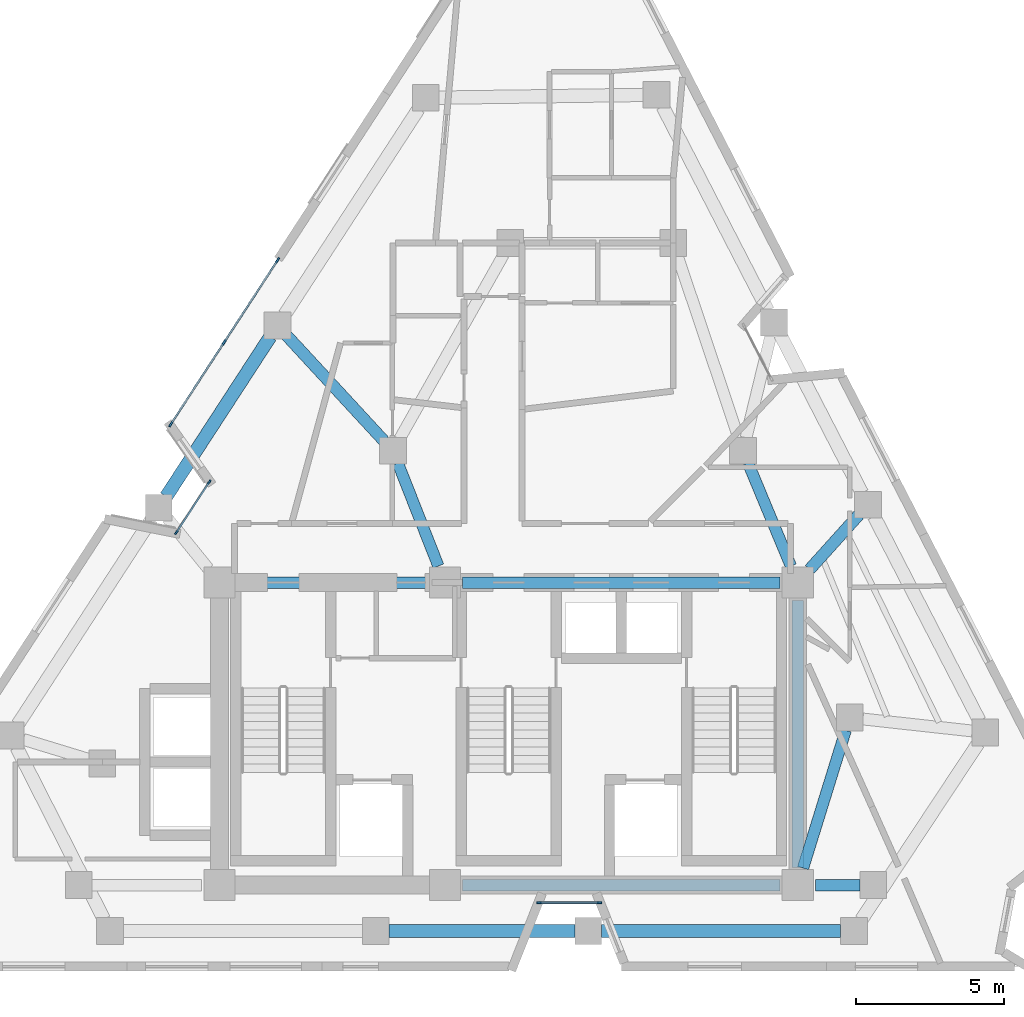
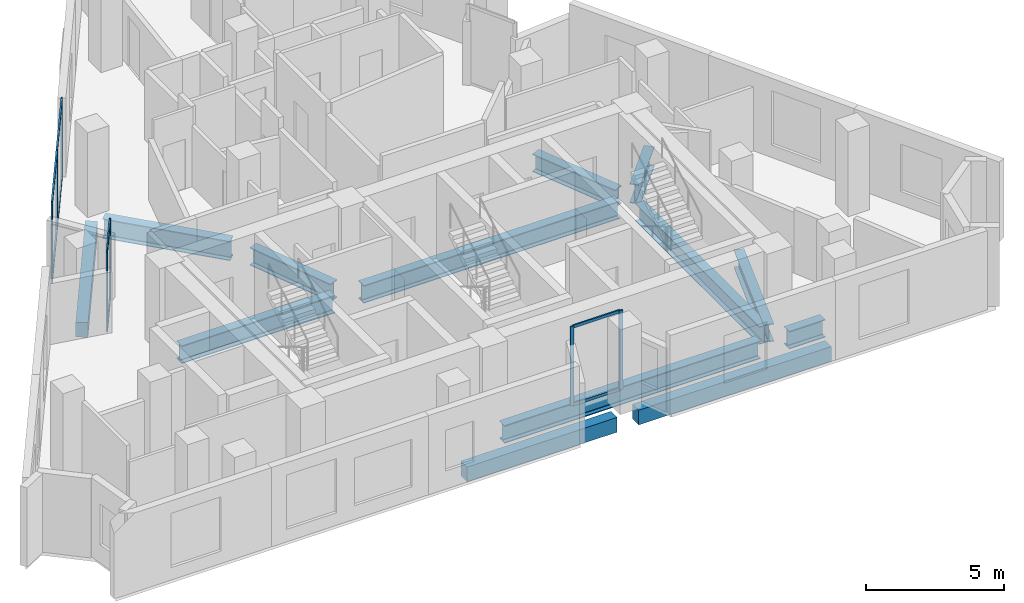
# One storey, part 2 of 9: 15 members, 13 beams, 3 elements without a shape of their own.
"""IFC4 building model written with IfcOpenShell, lengths in metres."""

from ifc_helpers import new_model, si_unit, direction, frame, origin, origin_2d, place, context, subcontext, project, spatial, rectangle, i_section, extrude, material, layer, layer_set, material_profile, profile_set, type_object, element, aggregate, save


model = new_model("IFC4")

# Units and contexts
model_context = context("Model", 3, precision=1e-05, world=origin(), true_north=direction((0.0, 1.0)))
body_context = subcontext(model_context, "Body", "Model", "MODEL_VIEW")
ifc_project = project(units=[si_unit("LENGTHUNIT", "METRE"), si_unit("AREAUNIT", "SQUARE_METRE"), si_unit("VOLUMEUNIT", "CUBIC_METRE"), si_unit("PLANEANGLEUNIT", "RADIAN"), si_unit("MASSUNIT", "GRAM", prefix="KILO")], contexts=[model_context])

# Site, building, storey
site_placement = place(None, origin())
site = spatial("IfcSite", under=ifc_project, at=site_placement, CompositionType="ELEMENT")
building_placement = place(site_placement, origin())
building = spatial("IfcBuilding", under=site, at=building_placement, Name="Almagre Mirador Tower", CompositionType="ELEMENT")
storey_placement = place(building_placement, frame((0.0, 0.0, 207.0)))
storey = spatial("IfcBuildingStorey", under=building, at=storey_placement, Name="L53", CompositionType="ELEMENT", Elevation=207.0)

# Beams
ifc_material_1 = material(Name="Precast concrete C50/60", Category="concrete")
ifc_material_profile_1 = material_profile(ifc_material_1, rectangle(XDim=0.449951171875, YDim=0.64990234375, at=origin_2d()), Name="RC450X650")
ifc_profile_set_1 = profile_set([ifc_material_profile_1], Name="Precast concrete C50/60")
beam_type_1 = type_object("IfcBeamType", Name="BM-SPN-RC450X650", PredefinedType="SPANDREL", material=ifc_profile_set_1)
beam_1_placement = place(storey_placement, frame((33.26611328125, 3.0, -0.574951171875), z_axis=(1.0, 0.0, 0.0), x_axis=(0.0, 1.0, 0.0)))
element("IfcBeam", 1, at=beam_1_placement, inside=storey, type_object=beam_type_1, Name="L53 perimeter spandrel beam PC02-PC03", PredefinedType="SPANDREL", context=body_context, shape_type="SweptSolid", body=[
    extrude(rectangle(XDim=0.449951171875, YDim=0.64990234375, at=origin_2d()), origin(), (0.0, 0.0, 1.0), 6.267822265625),
])
beam_2_placement = place(storey_placement, frame((40.43408203125, 3.0, -0.574951171875), z_axis=(1.0, 0.0, 0.0), x_axis=(0.0, 1.0, 0.0)))
element("IfcBeam", 2, at=beam_2_placement, inside=storey, type_object=beam_type_1, Name="L53 perimeter spandrel beam PC03-PC04", PredefinedType="SPANDREL", context=body_context, shape_type="SweptSolid", body=[
    extrude(rectangle(XDim=0.449951171875, YDim=0.64990234375, at=origin_2d()), origin(), (0.0, 0.0, 1.0), 8.059814453125),
])
beam_3_placement = place(storey_placement, frame((29.260498046875, 23.039794921875, -0.574951171875), z_axis=(-0.545617994426, -0.838034011337, 0.0), x_axis=(0.838034011337, -0.545617994426, 0.0)))
element("IfcBeam", 3, at=beam_3_placement, inside=storey, type_object=beam_type_1, Name="L53 perimeter spandrel beam PC10-PC11", PredefinedType="SPANDREL", context=body_context, shape_type="SweptSolid", body=[
    extrude(rectangle(XDim=0.449951171875, YDim=0.64990234375, at=origin_2d()), origin(), (0.0, 0.0, 1.0), 6.431396484375),
])
ifc_material_2 = material(Name="Steel ASTM A992 Grade 50", Category="steel")
ifc_material_profile_2 = material_profile(ifc_material_2, i_section(OverallWidth=0.384033203125, OverallDepth=0.784912109375, WebThickness=0.019775390625, FlangeThickness=0.033447265625, FilletRadius=0.02392578125, at=origin_2d()), Name="W30X211")
ifc_profile_set_2 = profile_set([ifc_material_profile_2], Name="Steel ASTM A992 Grade 50")
beam_type_2 = type_object("IfcBeamType", Name="BM-STL-W30X211", PredefinedType="BEAM", material=ifc_profile_set_2)
beam_4_placement = place(storey_placement, frame((35.75, 4.550048828125, -0.642578125), z_axis=(1.0, 0.0, 0.0), x_axis=(0.0, 1.0, 0.0)))
element("IfcBeam", 4, at=beam_4_placement, inside=storey, type_object=beam_type_2, Name="L53 core tie girder CC2-CC3", PredefinedType="BEAM", context=body_context, shape_type="SweptSolid", body=[
    extrude(i_section(OverallWidth=0.384033203125, OverallDepth=0.784912109375, WebThickness=0.019775390625, FlangeThickness=0.033447265625, FilletRadius=0.02392578125, at=origin_2d()), origin(), (0.0, 0.0, 1.0), 10.699951171875),
])
beam_5_placement = place(storey_placement, frame((28.14990234375, 14.75, -0.642578125), z_axis=(1.0, 0.0, 0.0), x_axis=(0.0, 1.0, 0.0)))
element("IfcBeam", 5, at=beam_5_placement, inside=storey, type_object=beam_type_2, Name="L53 core tie girder CC4-CC5", PredefinedType="BEAM", context=body_context, shape_type="SweptSolid", body=[
    extrude(i_section(OverallWidth=0.384033203125, OverallDepth=0.784912109375, WebThickness=0.019775390625, FlangeThickness=0.033447265625, FilletRadius=0.02392578125, at=origin_2d()), origin(), (0.0, 0.0, 1.0), 6.400146484375),
])
beam_6_placement = place(storey_placement, frame((35.75, 14.75, -0.642578125), z_axis=(1.0, 0.0, 0.0), x_axis=(0.0, 1.0, 0.0)))
element("IfcBeam", 6, at=beam_6_placement, inside=storey, type_object=beam_type_2, Name="L53 core tie girder CC5-CC6", PredefinedType="BEAM", context=body_context, shape_type="SweptSolid", body=[
    extrude(i_section(OverallWidth=0.384033203125, OverallDepth=0.784912109375, WebThickness=0.019775390625, FlangeThickness=0.033447265625, FilletRadius=0.02392578125, at=origin_2d()), origin(), (0.0, 0.0, 1.0), 10.699951171875),
])
beam_7_placement = place(storey_placement, frame((47.050048828125, 5.14990234375, -0.642578125), z_axis=(0.0, 1.0, 0.0), x_axis=(-1.0, 0.0, 0.0)))
element("IfcBeam", 7, at=beam_7_placement, inside=storey, type_object=beam_type_2, Name="L53 core tie girder CC3-CC6", PredefinedType="BEAM", context=body_context, shape_type="SweptSolid", body=[
    extrude(i_section(OverallWidth=0.384033203125, OverallDepth=0.784912109375, WebThickness=0.019775390625, FlangeThickness=0.033447265625, FilletRadius=0.02392578125, at=origin_2d()), origin(), (0.0, 0.0, 1.0), 9.0),
])
beam_8_placement = place(storey_placement, frame((49.14990234375, 4.550048828125, -0.642578125), z_axis=(-1.0, 0.0, 0.0), x_axis=(0.0, -1.0, 0.0)))
element("IfcBeam", 8, at=beam_8_placement, inside=storey, type_object=beam_type_2, Name="L53 core tie girder MC2-CC3", PredefinedType="BEAM", context=body_context, shape_type="SweptSolid", body=[
    extrude(i_section(OverallWidth=0.384033203125, OverallDepth=0.784912109375, WebThickness=0.019775390625, FlangeThickness=0.033447265625, FilletRadius=0.02392578125, at=origin_2d()), origin(), (0.0, 0.0, 1.0), 1.5),
])
beam_9_placement = place(storey_placement, frame((48.6669921875, 9.77001953125, -0.642578125), z_axis=(-0.29589089985, -0.955221741475, 0.0), x_axis=(0.955221741475, -0.29589089985, 0.0)))
element("IfcBeam", 9, at=beam_9_placement, inside=storey, type_object=beam_type_2, Name="L53 core tie girder MC3-CC3", PredefinedType="BEAM", context=body_context, shape_type="SweptSolid", body=[
    extrude(i_section(OverallWidth=0.384033203125, OverallDepth=0.784912109375, WebThickness=0.019775390625, FlangeThickness=0.033447265625, FilletRadius=0.02392578125, at=origin_2d()), origin(), (0.0, 0.0, 1.0), 4.86474609375),
])
beam_10_placement = place(storey_placement, frame((45.372802734375, 18.784423828125, -0.642578125), z_axis=(0.383842577607, -0.923398546466, 0.0), x_axis=(0.923398546466, 0.383842577607, 0.0)))
element("IfcBeam", 10, at=beam_10_placement, inside=storey, type_object=beam_type_2, Name="L53 core tie girder MC5-CC6", PredefinedType="BEAM", context=body_context, shape_type="SweptSolid", body=[
    extrude(i_section(OverallWidth=0.384033203125, OverallDepth=0.784912109375, WebThickness=0.019775390625, FlangeThickness=0.033447265625, FilletRadius=0.02392578125, at=origin_2d()), origin(), (0.0, 0.0, 1.0), 3.769287109375),
])
beam_11_placement = place(storey_placement, frame((33.564697265625, 18.78125, -0.642578125), z_axis=(0.365970135302, -0.930626595401, 0.0), x_axis=(0.930626595401, 0.365970135302, 0.0)))
element("IfcBeam", 11, at=beam_11_placement, inside=storey, type_object=beam_type_2, Name="L53 core tie girder MC8-CC5", PredefinedType="BEAM", context=body_context, shape_type="SweptSolid", body=[
    extrude(i_section(OverallWidth=0.384033203125, OverallDepth=0.784912109375, WebThickness=0.019775390625, FlangeThickness=0.033447265625, FilletRadius=0.02392578125, at=origin_2d()), origin(), (0.0, 0.0, 1.0), 3.731689453125),
])
ifc_material_3 = material(Name="Steel ASTM A992 Grade 50", Category="steel")
ifc_material_profile_3 = material_profile(ifc_material_3, i_section(OverallWidth=0.39892578125, OverallDepth=0.85595703125, WebThickness=0.018310546875, FlangeThickness=0.029296875, FilletRadius=0.02490234375, at=origin_2d()), Name="W33X201")
ifc_profile_set_3 = profile_set([ifc_material_profile_3], Name="Steel ASTM A992 Grade 50")
beam_type_3 = type_object("IfcBeamType", Name="BM-STL-W33X201", PredefinedType="BEAM", material=ifc_profile_set_3)
beam_12_placement = place(storey_placement, frame((49.11572265625, 17.043701171875, -0.677978515625), z_axis=(-0.66923045516, -0.743054909066, 0.0), x_axis=(0.743054909066, -0.66923045516, 0.0)))
element("IfcBeam", 12, at=beam_12_placement, inside=storey, type_object=beam_type_3, Name="L53 radial floor girder PC06-CC6", PredefinedType="BEAM", context=body_context, shape_type="SweptSolid", body=[
    extrude(i_section(OverallWidth=0.39892578125, OverallDepth=0.85595703125, WebThickness=0.018310546875, FlangeThickness=0.029296875, FilletRadius=0.02490234375, at=origin_2d()), origin(), (0.0, 0.0, 1.0), 2.48681640625),
])
beam_13_placement = place(storey_placement, frame((29.811279296875, 23.08642578125, -0.677978515625), z_axis=(0.678399511669, -0.734693203023, 0.0), x_axis=(0.734693203023, 0.678399511669, 0.0)))
element("IfcBeam", 13, at=beam_13_placement, inside=storey, type_object=beam_type_3, Name="L53 radial floor girder PC10-MC8", PredefinedType="BEAM", context=body_context, shape_type="SweptSolid", body=[
    extrude(i_section(OverallWidth=0.39892578125, OverallDepth=0.85595703125, WebThickness=0.018310546875, FlangeThickness=0.029296875, FilletRadius=0.02490234375, at=origin_2d()), origin(), (0.0, 0.0, 1.0), 4.840087890625),
])

# Curtain wall, members
ifc_material_4 = material(Name="Black anodized aluminium", Category="aluminium")
ifc_layer_1 = layer(ifc_material_4, 0.169921875)
ifc_layer_set_1 = layer_set([ifc_layer_1], Name="Black anodized aluminium")
curtain_wall_type_1 = type_object("IfcCurtainWallType", Name="CW-CRS-SYS", PredefinedType="NOTDEFINED", material=ifc_layer_set_1)
curtain_wall_1_placement = place(storey_placement, origin())
curtain_wall_1 = element("IfcCurtainWall", 14, at=curtain_wall_1_placement, inside=storey, type_object=curtain_wall_type_1, Name="L53 vertical crease curtain wall 01", PredefinedType="NOTDEFINED")
ifc_material_5 = material(Name="Black anodized aluminium", Category="aluminium")
ifc_material_profile_4 = material_profile(ifc_material_5, rectangle(XDim=0.06005859375, YDim=0.14990234375, at=origin_2d()), Name="CWM60X150")
ifc_profile_set_4 = profile_set([ifc_material_profile_4], Name="Black anodized aluminium")
member_type_1 = type_object("IfcMemberType", Name="MBR-CWM60X150", PredefinedType="MULLION", material=ifc_profile_set_4)
member_1_placement = place(storey_placement, frame((26.097412109375, 16.441162109375, 0.0), z_axis=(0.0, 0.0, 1.0), x_axis=(-0.838038799313, 0.545610640334, 0.0)))
member_1 = element("IfcMember", 15, at=member_1_placement, type_object=member_type_1, Name="CW-4 mullion 1", PredefinedType="MULLION", context=body_context, shape_type="SweptSolid", body=[
    extrude(rectangle(XDim=0.06005859375, YDim=0.14990234375, at=origin_2d()), origin(), (0.0, 0.0, 1.0), 3.5),
])
member_2_placement = place(storey_placement, frame((27.20458984375, 18.141845703125, 0.0), z_axis=(0.0, 0.0, 1.0), x_axis=(-0.838038799313, 0.545610640334, 0.0)))
member_2 = element("IfcMember", 16, at=member_2_placement, type_object=member_type_1, Name="CW-4 mullion 2", PredefinedType="MULLION", context=body_context, shape_type="SweptSolid", body=[
    extrude(rectangle(XDim=0.06005859375, YDim=0.14990234375, at=origin_2d()), origin(), (0.0, 0.0, 1.0), 3.5),
])

curtain_wall_2_placement = place(storey_placement, origin())
curtain_wall_2 = element("IfcCurtainWall", 17, at=curtain_wall_2_placement, inside=storey, type_object=curtain_wall_type_1, Name="L53 vertical crease curtain wall 04", PredefinedType="NOTDEFINED")
member_3_placement = place(storey_placement, frame((40.35888671875, 3.949951171875, 0.0), z_axis=(0.0, 0.0, 1.0), x_axis=(0.0, -1.0, 0.0)))
member_3 = element("IfcMember", 18, at=member_3_placement, type_object=member_type_1, Name="CW-4 mullion 1", PredefinedType="MULLION", context=body_context, shape_type="SweptSolid", body=[
    extrude(rectangle(XDim=0.06005859375, YDim=0.14990234375, at=origin_2d()), origin(), (0.0, 0.0, 1.0), 3.5),
])
member_4_placement = place(storey_placement, frame((38.3291015625, 3.949951171875, 0.0), z_axis=(0.0, 0.0, 1.0), x_axis=(0.0, -1.0, 0.0)))
member_4 = element("IfcMember", 19, at=member_4_placement, type_object=member_type_1, Name="CW-4 mullion 2", PredefinedType="MULLION", context=body_context, shape_type="SweptSolid", body=[
    extrude(rectangle(XDim=0.06005859375, YDim=0.14990234375, at=origin_2d()), origin(), (0.0, 0.0, 1.0), 3.5),
])

ifc_material_6 = material(Name="Black anodized aluminium", Category="aluminium")
ifc_layer_2 = layer(ifc_material_6, 0.199951171875)
ifc_layer_set_2 = layer_set([ifc_layer_2], Name="Black anodized aluminium")
curtain_wall_type_2 = type_object("IfcCurtainWallType", Name="CW-RES-H-SYS", PredefinedType="NOTDEFINED", material=ifc_layer_set_2)
curtain_wall_3_placement = place(storey_placement, origin())
curtain_wall_3 = element("IfcCurtainWall", 20, at=curtain_wall_3_placement, inside=storey, type_object=curtain_wall_type_2, Name="L53 curtain wall run 02", PredefinedType="NOTDEFINED")
ifc_material_7 = material(Name="Black anodized aluminium", Category="aluminium")
ifc_material_profile_5 = material_profile(ifc_material_7, rectangle(XDim=0.06494140625, YDim=0.179931640625, at=origin_2d()), Name="CWM65X180")
ifc_profile_set_5 = profile_set([ifc_material_profile_5], Name="Black anodized aluminium")
member_type_2 = type_object("IfcMemberType", Name="MBR-CWM65X180", PredefinedType="MULLION", material=ifc_profile_set_5)
member_5_placement = place(storey_placement, frame((25.90380859375, 20.084228515625, 0.0), z_axis=(0.0, 0.0, 1.0), x_axis=(-0.838036296957, 0.545614483846, 0.0)))
member_5 = element("IfcMember", 21, at=member_5_placement, type_object=member_type_2, Name="CW-3 mullion 1", PredefinedType="MULLION", context=body_context, shape_type="SweptSolid", body=[
    extrude(rectangle(XDim=0.06494140625, YDim=0.179931640625, at=origin_2d()), origin(), (0.0, 0.0, 1.0), 3.5),
])
member_6_placement = place(storey_placement, frame((27.7080078125, 22.85546875, 0.0), z_axis=(0.0, 0.0, 1.0), x_axis=(-0.838036296957, 0.545614483846, 0.0)))
member_6 = element("IfcMember", 22, at=member_6_placement, type_object=member_type_2, Name="CW-3 mullion 2", PredefinedType="MULLION", context=body_context, shape_type="SweptSolid", body=[
    extrude(rectangle(XDim=0.06494140625, YDim=0.179931640625, at=origin_2d()), origin(), (0.0, 0.0, 1.0), 3.5),
])
member_7_placement = place(storey_placement, frame((29.51220703125, 25.626708984375, 0.0), z_axis=(0.0, 0.0, 1.0), x_axis=(-0.838036296957, 0.545614483846, 0.0)))
member_7 = element("IfcMember", 23, at=member_7_placement, type_object=member_type_2, Name="CW-3 mullion 3", PredefinedType="MULLION", context=body_context, shape_type="SweptSolid", body=[
    extrude(rectangle(XDim=0.06494140625, YDim=0.179931640625, at=origin_2d()), origin(), (0.0, 0.0, 1.0), 3.5),
])

# Member
ifc_material_8 = material(Name="Black anodized aluminium", Category="aluminium")
ifc_material_profile_6 = material_profile(ifc_material_8, rectangle(XDim=0.06005859375, YDim=0.1298828125, at=origin_2d()), Name="CWT60X130")
ifc_profile_set_6 = profile_set([ifc_material_profile_6], Name="Black anodized aluminium")
member_type_3 = type_object("IfcMemberType", Name="MBR-CWT60X130", PredefinedType="USERDEFINED", material=ifc_profile_set_6)
member_8_placement = place(storey_placement, frame((26.11376953125, 16.46630859375, 0.030029296875), z_axis=(0.545598259062, 0.838046860091, 0.0), x_axis=(-0.838046860091, 0.545598259062, 0.0)))
member_8 = element("IfcMember", 24, at=member_8_placement, type_object=member_type_3, Name="CW-4 transom 1.1", ObjectType="TRANSOM", PredefinedType="USERDEFINED", context=body_context, shape_type="SweptSolid", body=[
    extrude(rectangle(XDim=0.06005859375, YDim=0.1298828125, at=origin_2d()), origin(), (0.0, 0.0, 1.0), 1.96923828125),
])

member_9_placement = place(storey_placement, frame((26.11376953125, 16.46630859375, 3.469970703125), z_axis=(0.545598259062, 0.838046860091, 0.0), x_axis=(-0.838046860091, 0.545598259062, 0.0)))
member_9 = element("IfcMember", 25, at=member_9_placement, type_object=member_type_3, Name="CW-4 transom 1.2", ObjectType="TRANSOM", PredefinedType="USERDEFINED", context=body_context, shape_type="SweptSolid", body=[
    extrude(rectangle(XDim=0.06005859375, YDim=0.1298828125, at=origin_2d()), origin(), (0.0, 0.0, 1.0), 1.96923828125),
])

aggregate(curtain_wall_1, [member_1, member_2, member_8, member_9])

member_10_placement = place(storey_placement, frame((40.3291015625, 3.949951171875, 0.030029296875), z_axis=(-1.0, 0.0, 0.0), x_axis=(0.0, -1.0, 0.0)))
member_10 = element("IfcMember", 26, at=member_10_placement, type_object=member_type_3, Name="CW-4 transom 1.1", ObjectType="TRANSOM", PredefinedType="USERDEFINED", context=body_context, shape_type="SweptSolid", body=[
    extrude(rectangle(XDim=0.06005859375, YDim=0.1298828125, at=origin_2d()), origin(), (0.0, 0.0, 1.0), 1.97021484375),
])

member_11_placement = place(storey_placement, frame((40.3291015625, 3.949951171875, 3.469970703125), z_axis=(-1.0, 0.0, 0.0), x_axis=(0.0, -1.0, 0.0)))
member_11 = element("IfcMember", 27, at=member_11_placement, type_object=member_type_3, Name="CW-4 transom 1.2", ObjectType="TRANSOM", PredefinedType="USERDEFINED", context=body_context, shape_type="SweptSolid", body=[
    extrude(rectangle(XDim=0.06005859375, YDim=0.1298828125, at=origin_2d()), origin(), (0.0, 0.0, 1.0), 1.97021484375),
])

aggregate(curtain_wall_2, [member_3, member_4, member_10, member_11])

ifc_material_9 = material(Name="Black anodized aluminium", Category="aluminium")
ifc_material_profile_7 = material_profile(ifc_material_9, rectangle(XDim=0.06494140625, YDim=0.14990234375, at=origin_2d()), Name="CWT65X150")
ifc_profile_set_7 = profile_set([ifc_material_profile_7], Name="Black anodized aluminium")
member_type_4 = type_object("IfcMemberType", Name="MBR-CWT65X150", PredefinedType="USERDEFINED", material=ifc_profile_set_7)
member_12_placement = place(storey_placement, frame((25.92138671875, 20.111572265625, 0.032470703125), z_axis=(0.545612905753, 0.838037324393, 0.0), x_axis=(-0.838037324393, 0.545612905753, 0.0)))
member_12 = element("IfcMember", 28, at=member_12_placement, type_object=member_type_4, Name="CW-3 transom 1.1", ObjectType="TRANSOM", PredefinedType="USERDEFINED", context=body_context, shape_type="SweptSolid", body=[
    extrude(rectangle(XDim=0.06494140625, YDim=0.14990234375, at=origin_2d()), origin(), (0.0, 0.0, 1.0), 3.241943359375),
])

member_13_placement = place(storey_placement, frame((25.92138671875, 20.111572265625, 3.467529296875), z_axis=(0.545612905753, 0.838037324393, 0.0), x_axis=(-0.838037324393, 0.545612905753, 0.0)))
member_13 = element("IfcMember", 29, at=member_13_placement, type_object=member_type_4, Name="CW-3 transom 1.2", ObjectType="TRANSOM", PredefinedType="USERDEFINED", context=body_context, shape_type="SweptSolid", body=[
    extrude(rectangle(XDim=0.06494140625, YDim=0.14990234375, at=origin_2d()), origin(), (0.0, 0.0, 1.0), 3.241943359375),
])

member_14_placement = place(storey_placement, frame((27.725830078125, 22.8828125, 0.032470703125), z_axis=(0.545612905753, 0.838037324393, 0.0), x_axis=(-0.838037324393, 0.545612905753, 0.0)))
member_14 = element("IfcMember", 30, at=member_14_placement, type_object=member_type_4, Name="CW-3 transom 2.1", ObjectType="TRANSOM", PredefinedType="USERDEFINED", context=body_context, shape_type="SweptSolid", body=[
    extrude(rectangle(XDim=0.06494140625, YDim=0.14990234375, at=origin_2d()), origin(), (0.0, 0.0, 1.0), 3.241943359375),
])

member_15_placement = place(storey_placement, frame((27.725830078125, 22.8828125, 3.467529296875), z_axis=(0.545612905753, 0.838037324393, 0.0), x_axis=(-0.838037324393, 0.545612905753, 0.0)))
member_15 = element("IfcMember", 31, at=member_15_placement, type_object=member_type_4, Name="CW-3 transom 2.2", ObjectType="TRANSOM", PredefinedType="USERDEFINED", context=body_context, shape_type="SweptSolid", body=[
    extrude(rectangle(XDim=0.06494140625, YDim=0.14990234375, at=origin_2d()), origin(), (0.0, 0.0, 1.0), 3.241943359375),
])

aggregate(curtain_wall_3, [member_5, member_6, member_7, member_12, member_13, member_14, member_15])

save(model, "model.ifc")
